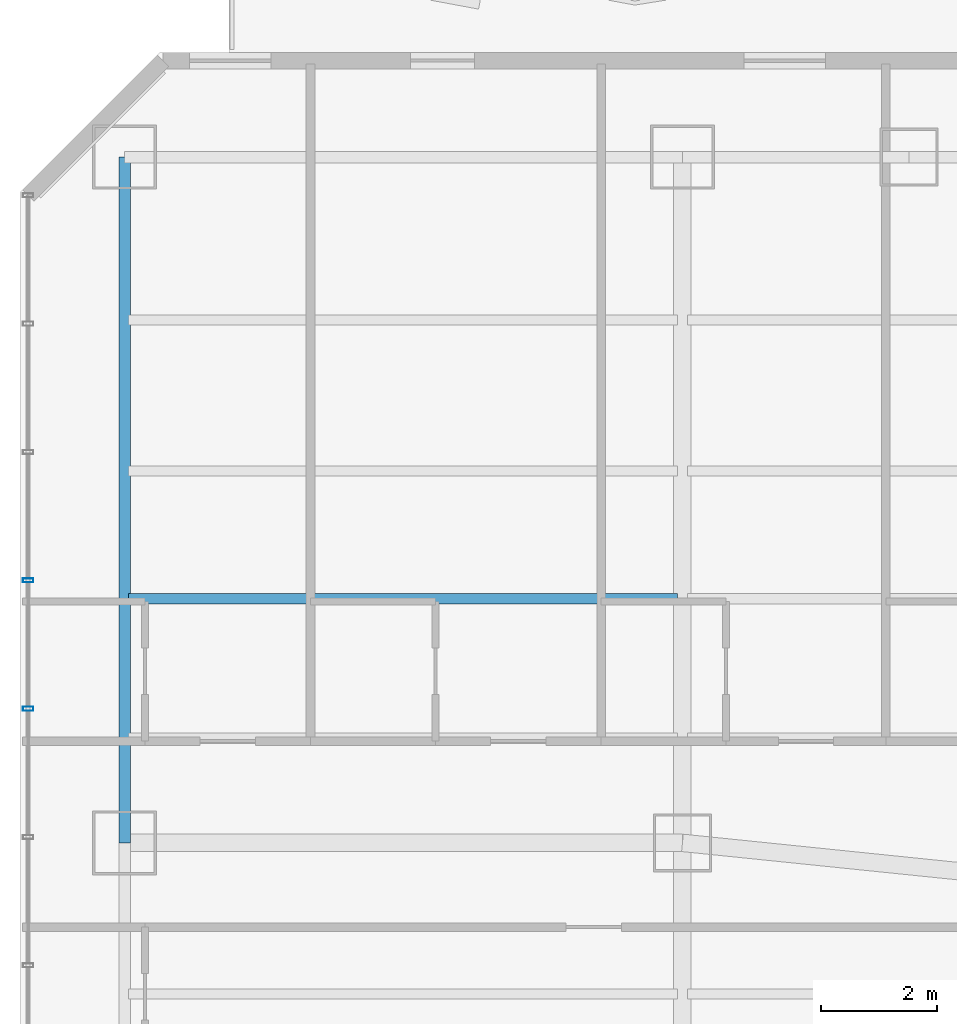
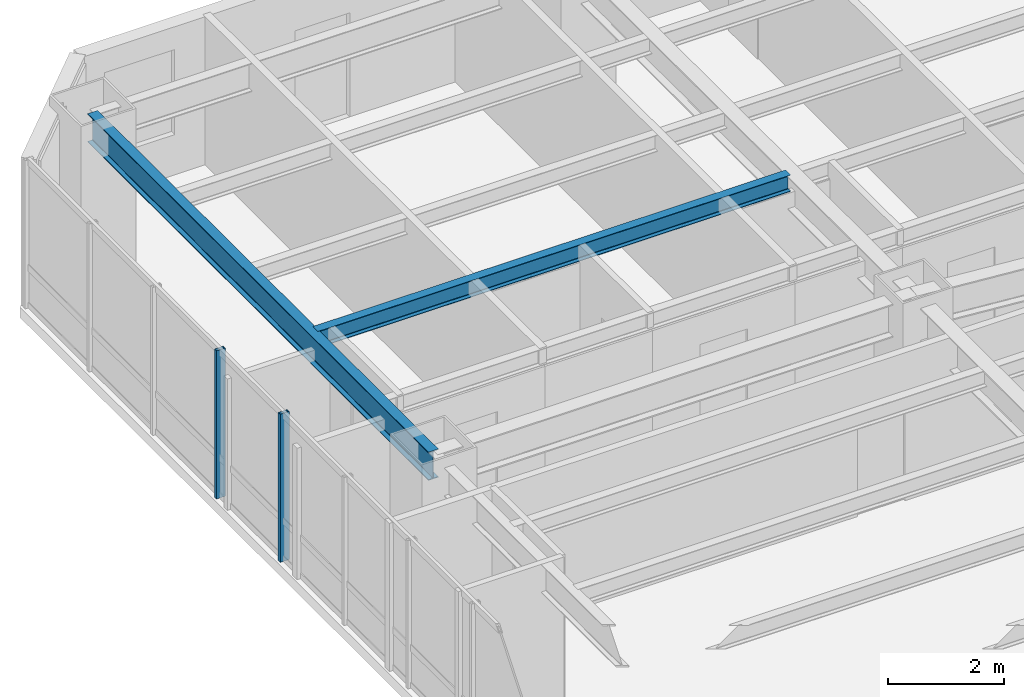
# One storey, part 14 of 33: 2 beams, 2 members, 1 element without a shape of its own.
"""IFC4 building model written with IfcOpenShell, lengths in metres."""

from ifc_helpers import new_model, si_unit, direction, frame, origin, origin_2d, place, context, subcontext, project, spatial, hollow_rectangle, i_section, extrude, material, layer, layer_set, material_profile, profile_set, type_object, element, aggregate, save


model = new_model("IFC4")

# Units and contexts
model_context = context("Model", 3, precision=1e-05, world=origin(), true_north=direction((0.0, 1.0)))
body_context = subcontext(model_context, "Body", "Model", "MODEL_VIEW")
ifc_project = project(units=[si_unit("LENGTHUNIT", "METRE"), si_unit("AREAUNIT", "SQUARE_METRE"), si_unit("VOLUMEUNIT", "CUBIC_METRE"), si_unit("PLANEANGLEUNIT", "RADIAN"), si_unit("MASSUNIT", "GRAM", prefix="KILO")], contexts=[model_context])

# Site, building, storey
site_placement = place(None, origin())
site = spatial("IfcSite", under=ifc_project, at=site_placement, CompositionType="ELEMENT")
building_placement = place(site_placement, origin())
building = spatial("IfcBuilding", under=site, at=building_placement, Name="Hatsunagi Terrace Concourse", CompositionType="ELEMENT")
storey_placement = place(building_placement, frame((0.0, 0.0, 43.300048828125)))
storey = spatial("IfcBuildingStorey", under=building, at=storey_placement, Name="L10", CompositionType="ELEMENT", Elevation=43.300048828125)

# Curtain wall, members
ifc_material_1 = material(Name="Anodised Aluminium Alloy 6063-T5", Category="aluminium")
ifc_layer = layer(ifc_material_1, 0.199951171875)
ifc_layer_set = layer_set([ifc_layer], Name="HotelFacade_CW02")
curtain_wall_type = type_object("IfcCurtainWallType", Name="HotelFacade_CW02", PredefinedType="NOTDEFINED", material=ifc_layer_set)
curtain_wall_placement = place(storey_placement, origin())
curtain_wall = element("IfcCurtainWall", 1, at=curtain_wall_placement, inside=storey, type_object=curtain_wall_type, Name="Unitised Curtain Wall CW-02 CW-L10-09", PredefinedType="NOTDEFINED")
ifc_material_2 = material(Name="Anodised Aluminium Alloy 6063-T5", Category="aluminium")
ifc_material_profile_1 = material_profile(ifc_material_2, hollow_rectangle(XDim=0.070068359375, YDim=0.179931640625, WallThickness=0.00390625, at=origin_2d()), Name="ALU-MUL-180x70x4")
ifc_profile_set_1 = profile_set([ifc_material_profile_1], Name="Anodised Aluminium Alloy 6063-T5")
member_type = type_object("IfcMemberType", Name="CurtainWallMullion_180x70", PredefinedType="MULLION", material=ifc_profile_set_1)
member_1_placement = place(storey_placement, frame((0.139892578125, 39.10791015625, 0.0), z_axis=(0.0, 0.0, 1.0), x_axis=(0.0, 1.0, 0.0)))
member_1 = element("IfcMember", 2, at=member_1_placement, type_object=member_type, Name="Curtain Wall Mullion MUL-02", PredefinedType="MULLION", context=body_context, shape_type="SweptSolid", body=[
    extrude(hollow_rectangle(XDim=0.070068359375, YDim=0.179931640625, WallThickness=0.00390625, at=origin_2d()), origin(), (0.0, 0.0, 1.0), 3.1298828125),
])
member_2_placement = place(storey_placement, frame((0.139892578125, 41.31689453125, 0.0), z_axis=(0.0, 0.0, 1.0), x_axis=(0.0, 1.0, 0.0)))
member_2 = element("IfcMember", 3, at=member_2_placement, type_object=member_type, Name="Curtain Wall Mullion MUL-02", PredefinedType="MULLION", context=body_context, shape_type="SweptSolid", body=[
    extrude(hollow_rectangle(XDim=0.070068359375, YDim=0.179931640625, WallThickness=0.00390625, at=origin_2d()), origin(), (0.0, 0.0, 1.0), 3.1298828125),
])
aggregate(curtain_wall, [member_1, member_2])

# Beams
ifc_material_3 = material(Name="Steel SN490B", Category="steel")
ifc_material_profile_2 = material_profile(ifc_material_3, i_section(OverallWidth=0.175048828125, OverallDepth=0.35009765625, WebThickness=0.007080078125, FlangeThickness=0.010986328125, FilletRadius=0.012939453125, at=origin_2d()), Name="H-350x175x7x11")
ifc_profile_set_2 = profile_set([ifc_material_profile_2], Name="Steel SN490B")
beam_type_1 = type_object("IfcBeamType", Name="HotelJoist_H_350x175", PredefinedType="JOIST", material=ifc_profile_set_2)
beam_1_placement = place(storey_placement, frame((1.864990234375, 41.0, 2.954833984375), z_axis=(1.0, 0.0, 0.0), x_axis=(0.0, 1.0, 0.0)))
element("IfcBeam", 4, at=beam_1_placement, inside=storey, type_object=beam_type_1, Name="Beam J-02 J-L10-W-1-410", PredefinedType="JOIST", context=body_context, shape_type="SweptSolid", body=[
    extrude(i_section(OverallWidth=0.175048828125, OverallDepth=0.35009765625, WebThickness=0.007080078125, FlangeThickness=0.010986328125, FilletRadius=0.012939453125, at=origin_2d()), origin(), (0.0, 0.0, 1.0), 9.449951171875),
])
ifc_material_4 = material(Name="Steel SN490B", Category="steel")
ifc_material_profile_3 = material_profile(ifc_material_4, i_section(OverallWidth=0.199951171875, OverallDepth=0.60009765625, WebThickness=0.010986328125, FlangeThickness=0.01708984375, FilletRadius=0.01806640625, at=origin_2d()), Name="H-600x200x11x17")
ifc_profile_set_3 = profile_set([ifc_material_profile_3], Name="Steel SN490B")
beam_type_2 = type_object("IfcBeamType", Name="PerimeterSpandrel_H_600x200", PredefinedType="SPANDREL", material=ifc_profile_set_3)
beam_2_placement = place(storey_placement, frame((1.800048828125, 36.800048828125, 2.829833984375), z_axis=(0.0, 1.0, 0.0), x_axis=(-1.0, 0.0, 0.0)))
element("IfcBeam", 5, at=beam_2_placement, inside=storey, type_object=beam_type_2, Name="Beam SP-01 BM-L10-NS-1-36", PredefinedType="SPANDREL", context=body_context, shape_type="SweptSolid", body=[
    extrude(i_section(OverallWidth=0.199951171875, OverallDepth=0.60009765625, WebThickness=0.010986328125, FlangeThickness=0.01708984375, FilletRadius=0.01806640625, at=origin_2d()), origin(), (0.0, 0.0, 1.0), 11.800048828125),
])

save(model, "model.ifc")
